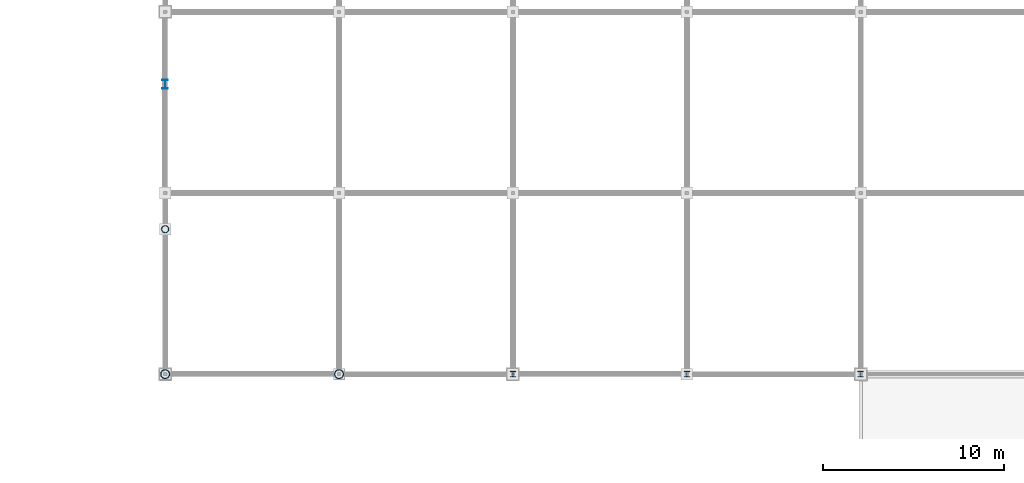
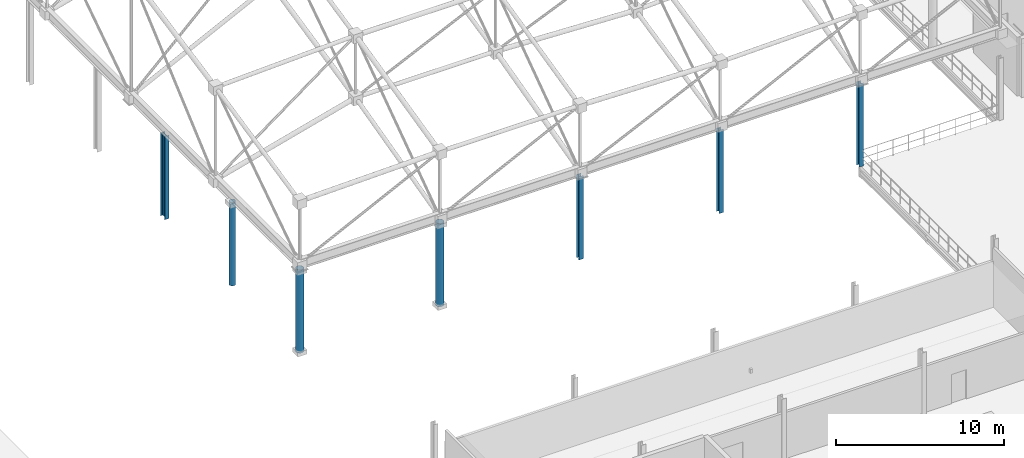
# One storey, part 12 of 193: 7 columns.
"""IFC4 building model written with IfcOpenShell, lengths in metres."""

from ifc_helpers import new_model, si_unit, direction, frame, origin, origin_2d, place, context, subcontext, project, spatial, hollow_circle, i_section, extrude, material, material_profile, profile_set, type_object, element, save


model = new_model("IFC4")

# Units and contexts
model_context = context("Model", 3, precision=1e-05, world=origin(), true_north=direction((0.0, 1.0)))
body_context = subcontext(model_context, "Body", "Model", "MODEL_VIEW")
ifc_project = project(units=[si_unit("LENGTHUNIT", "METRE"), si_unit("AREAUNIT", "SQUARE_METRE"), si_unit("VOLUMEUNIT", "CUBIC_METRE"), si_unit("PLANEANGLEUNIT", "RADIAN"), si_unit("MASSUNIT", "GRAM", prefix="KILO")], contexts=[model_context])

# Site, building, storey
site_placement = place(None, origin())
site = spatial("IfcSite", under=ifc_project, at=site_placement, CompositionType="ELEMENT")
building_placement = place(site_placement, origin())
building = spatial("IfcBuilding", under=site, at=building_placement, Name="Danafjord Basin Convention Centre", CompositionType="ELEMENT")
storey_placement = place(building_placement, frame((0.0, 0.0, 11.39990234375)))
storey = spatial("IfcBuildingStorey", under=building, at=storey_placement, Name="L02", CompositionType="ELEMENT", Elevation=11.39990234375)

# Columns
ifc_material = material(Name="Steel S355", Category="steel")
ifc_material_profile_1 = material_profile(ifc_material, hollow_circle(Radius=0.203125, WallThickness=0.02001953125, at=origin_2d()), Name="CHS 406.4x20.0")
ifc_profile_set_1 = profile_set([ifc_material_profile_1], Name="Steel S355")
column_type_1 = type_object("IfcColumnType", Name="COL-C-CHS406", PredefinedType="COLUMN", material=ifc_profile_set_1)
column_1_placement = place(storey_placement, frame((144.0, 48.0, 0.0), z_axis=(0.0, 0.0, 1.0), x_axis=(1.0, 0.0, 0.0)))
element("IfcColumn", 1, at=column_1_placement, inside=storey, type_object=column_type_1, Name="L02 column C-CHS406 at (144.0, 48.0)", PredefinedType="COLUMN", context=body_context, shape_type="SweptSolid", body=[
    extrude(hollow_circle(Radius=0.203125, WallThickness=0.02001953125, at=origin_2d()), origin(), (0.0, 0.0, 1.0), 6.02001953125),
])
ifc_material_profile_2 = material_profile(ifc_material, hollow_circle(Radius=0.25390625, WallThickness=0.02490234375, at=origin_2d()), Name="CHS 508.0x25.0")
ifc_profile_set_2 = profile_set([ifc_material_profile_2], Name="Steel S355")
column_type_2 = type_object("IfcColumnType", Name="COL-C-CHS508", PredefinedType="COLUMN", material=ifc_profile_set_2)
for number, where, z_axis, x_axis, name in (
    (2, (144.0, 40.0, 0.0), (0.0, 0.0, 1.0), (1.0, 0.0, 0.0), "L02 column C-CHS508 at (144.0, 40.0)"),
    (3, (153.60009765625, 40.0, 0.0), (0.0, 0.0, 1.0), (1.0, 0.0, 0.0), "L02 column C-CHS508 at (153.6, 40.0)"),
):
    element("IfcColumn", number, at=place(storey_placement, frame(where, z_axis=z_axis, x_axis=x_axis)), inside=storey, type_object=column_type_2, Name=name, PredefinedType="COLUMN", context=body_context, shape_type="SweptSolid", body=[
        extrude(hollow_circle(Radius=0.25390625, WallThickness=0.02490234375, at=origin_2d()), origin(), (0.0, 0.0, 1.0), 6.02001953125),
    ])
ifc_material_profile_3 = material_profile(ifc_material, i_section(OverallWidth=0.300048828125, OverallDepth=0.300048828125, WebThickness=0.010986328125, FlangeThickness=0.01904296875, FilletRadius=0.027099609375, at=origin_2d()), Name="HEB 300")
ifc_profile_set_3 = profile_set([ifc_material_profile_3], Name="Steel S355")
column_type_3 = type_object("IfcColumnType", Name="COL-C-HEB300", PredefinedType="COLUMN", material=ifc_profile_set_3)
for number, where, z_axis, x_axis, name in (
    (4, (163.199951171875, 40.0, 0.0), (0.0, 0.0, 1.0), (1.0, 0.0, 0.0), "L02 column C-HEB300 at (163.2, 40.0)"),
    (5, (172.800048828125, 40.0, 0.0), (0.0, 0.0, 1.0), (1.0, 0.0, 0.0), "L02 column C-HEB300 at (172.8, 40.0)"),
    (6, (182.39990234375, 40.0, 0.0), (0.0, 0.0, 1.0), (1.0, 0.0, 0.0), "L02 column C-HEB300 at (182.4, 40.0)"),
):
    element("IfcColumn", number, at=place(storey_placement, frame(where, z_axis=z_axis, x_axis=x_axis)), inside=storey, type_object=column_type_3, Name=name, PredefinedType="COLUMN", context=body_context, shape_type="SweptSolid", body=[
        extrude(i_section(OverallWidth=0.300048828125, OverallDepth=0.300048828125, WebThickness=0.010986328125, FlangeThickness=0.01904296875, FilletRadius=0.027099609375, at=origin_2d()), origin(), (0.0, 0.0, 1.0), 6.02001953125),
    ])
ifc_material_profile_4 = material_profile(ifc_material, i_section(OverallWidth=0.300048828125, OverallDepth=0.5, WebThickness=0.014404296875, FlangeThickness=0.028076171875, FilletRadius=0.027099609375, at=origin_2d()), Name="HEB 500")
ifc_profile_set_4 = profile_set([ifc_material_profile_4], Name="Steel S355")
column_type_4 = type_object("IfcColumnType", Name="COL-C-HEB500", PredefinedType="COLUMN", material=ifc_profile_set_4)
column_2_placement = place(storey_placement, frame((144.0, 56.0, 0.0), z_axis=(0.0, 0.0, 1.0), x_axis=(1.0, 0.0, 0.0)))
element("IfcColumn", 7, at=column_2_placement, inside=storey, type_object=column_type_4, Name="L02 column C-HEB500 at (144.0, 56.0)", PredefinedType="COLUMN", context=body_context, shape_type="SweptSolid", body=[
    extrude(i_section(OverallWidth=0.300048828125, OverallDepth=0.5, WebThickness=0.014404296875, FlangeThickness=0.028076171875, FilletRadius=0.027099609375, at=origin_2d()), origin(), (0.0, 0.0, 1.0), 6.02001953125),
])

save(model, "model.ifc")
